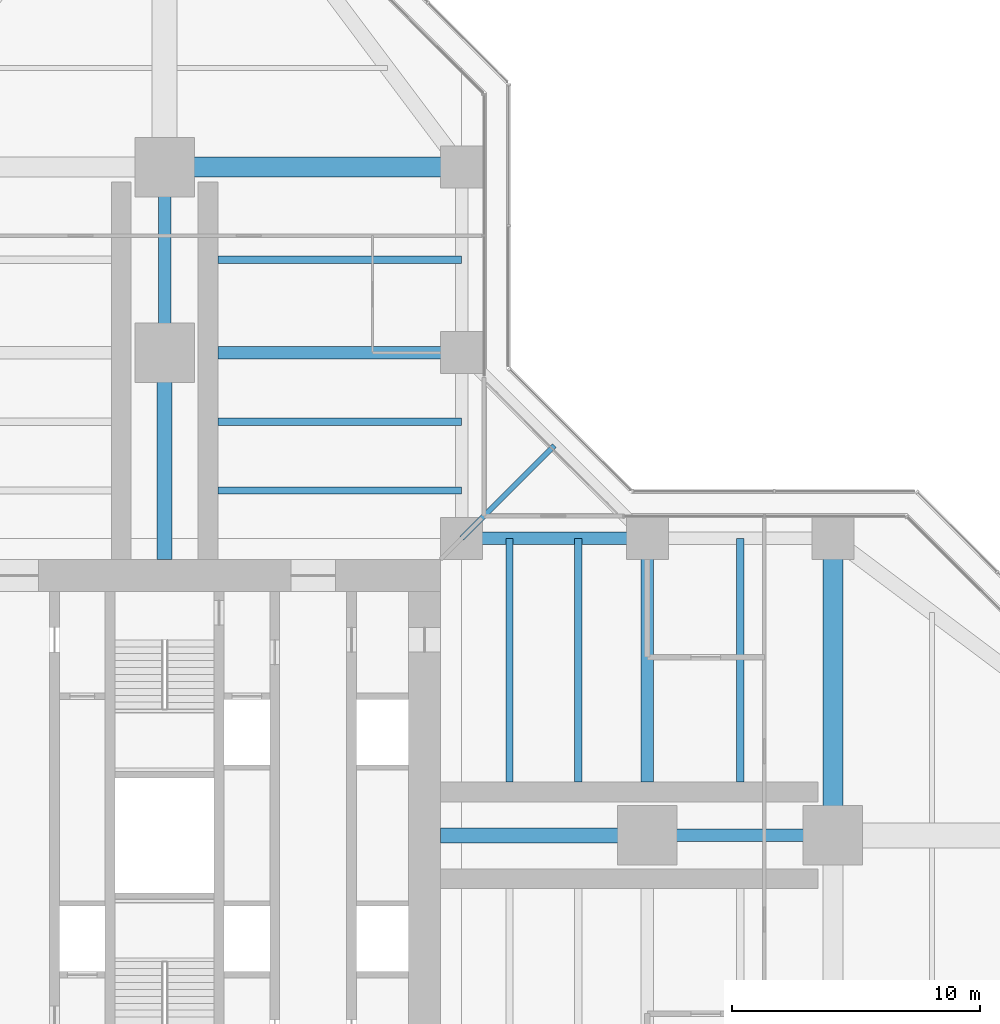
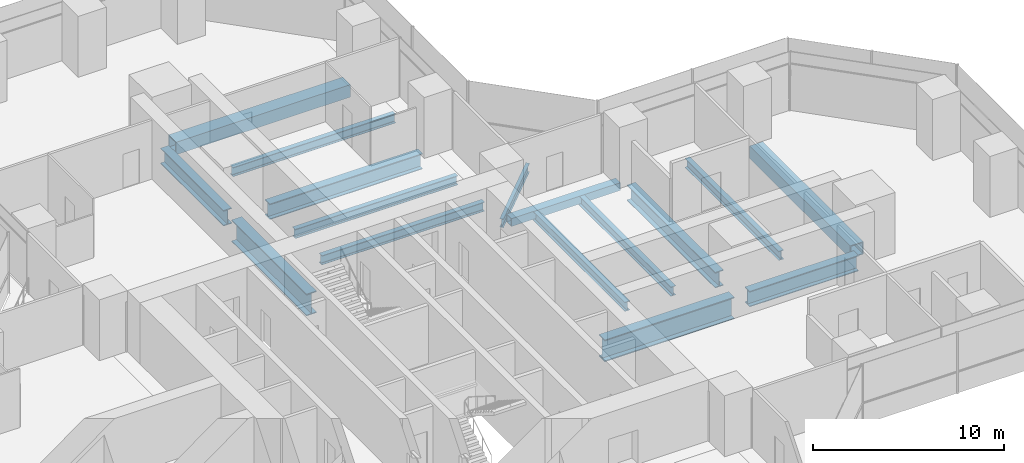
# One storey, part 10 of 22: 16 beams.
"""IFC4 building model written with IfcOpenShell, lengths in metres."""

from ifc_helpers import new_model, si_unit, direction, frame, origin, origin_2d, place, context, subcontext, project, spatial, hollow_rectangle, i_section, extrude, material, material_profile, profile_set, type_object, element, save


model = new_model("IFC4")

# Units and contexts
model_context = context("Model", 3, precision=1e-05, world=origin(), true_north=direction((0.0, 1.0)))
body_context = subcontext(model_context, "Body", "Model", "MODEL_VIEW")
ifc_project = project(units=[si_unit("LENGTHUNIT", "METRE"), si_unit("AREAUNIT", "SQUARE_METRE"), si_unit("VOLUMEUNIT", "CUBIC_METRE"), si_unit("PLANEANGLEUNIT", "RADIAN"), si_unit("MASSUNIT", "GRAM", prefix="KILO")], contexts=[model_context])

# Site, building, storey
site_placement = place(None, origin())
site = spatial("IfcSite", under=ifc_project, at=site_placement, CompositionType="ELEMENT")
building_placement = place(site_placement, origin())
building = spatial("IfcBuilding", under=site, at=building_placement, Name="Mizan Broadcast Tower", CompositionType="ELEMENT")
storey_placement = place(building_placement, frame((0.0, 0.0, 82.5)))
storey = spatial("IfcBuildingStorey", under=building, at=storey_placement, Name="L17", CompositionType="ELEMENT", Elevation=82.5)

# Beams
ifc_material_1 = material(Name="Steel S355", Category="steel")
ifc_material_profile_1 = material_profile(ifc_material_1, hollow_rectangle(XDim=0.5, YDim=0.5, WallThickness=0.030029296875, at=origin_2d()), Name="BOX 500x500x30")
ifc_profile_set_1 = profile_set([ifc_material_profile_1], Name="Steel S355")
beam_type_1 = type_object("IfcBeamType", Name="EDGE BEAM BOX 500x500x30", PredefinedType="SPANDREL", material=ifc_profile_set_1)
beam_1_placement = place(storey_placement, frame((12.449951171875, 12.0, -0.3798828125), z_axis=(1.0, 0.0, 0.0), x_axis=(0.0, 1.0, 0.0)))
element("IfcBeam", 1, at=beam_1_placement, inside=storey, type_object=beam_type_1, Name="Edge beam BOX 500x500x30 L17 east arm", PredefinedType="SPANDREL", context=body_context, shape_type="SweptSolid", body=[
    extrude(hollow_rectangle(XDim=0.5, YDim=0.5, WallThickness=0.030029296875, at=origin_2d()), origin(), (0.0, 0.0, 1.0), 6.60009765625),
])
ifc_material_2 = material(Name="Steel S460", Category="steel")
ifc_material_profile_2 = material_profile(ifc_material_2, hollow_rectangle(XDim=0.800048828125, YDim=0.800048828125, WallThickness=0.050048828125, at=origin_2d()), Name="BOX 800x800x50")
ifc_profile_set_2 = profile_set([ifc_material_profile_2], Name="Steel S460")
beam_type_2 = type_object("IfcBeamType", Name="GIRDER BOX 800x800x50", PredefinedType="BEAM", material=ifc_profile_set_2)
for number, where, z_axis, x_axis, name in (
    (2, (27.0, 11.280029296875, -0.530029296875), (0.0, -1.0, 0.0), (1.0, 0.0, 0.0), "Girder BOX 800x800x50 L17 east arm"),
    (3, (11.280029296875, 27.0, -0.530029296875), (-1.0, 0.0, 0.0), (0.0, -1.0, 0.0), "Girder BOX 800x800x50 L17 north arm"),
):
    element("IfcBeam", number, at=place(storey_placement, frame(where, z_axis=z_axis, x_axis=x_axis)), inside=storey, type_object=beam_type_2, Name=name, PredefinedType="BEAM", context=body_context, shape_type="SweptSolid", body=[
        extrude(hollow_rectangle(XDim=0.800048828125, YDim=0.800048828125, WallThickness=0.050048828125, at=origin_2d()), origin(), (0.0, 0.0, 1.0), 10.56005859375),
    ])
ifc_material_3 = material(Name="Steel S460", Category="steel")
ifc_material_profile_3 = material_profile(ifc_material_3, i_section(OverallWidth=0.5, OverallDepth=1.0, WebThickness=0.02490234375, FlangeThickness=0.050048828125, at=origin_2d()), Name="WPG 1000x500")
ifc_profile_set_3 = profile_set([ifc_material_profile_3], Name="Steel S460")
beam_type_3 = type_object("IfcBeamType", Name="GIRDER WPG 1000x500", PredefinedType="BEAM", material=ifc_profile_set_3)
beam_2_placement = place(storey_placement, frame((19.949951171875, 0.0, -0.6298828125), z_axis=(1.0, 0.0, 0.0), x_axis=(0.0, 1.0, 0.0)))
element("IfcBeam", 4, at=beam_2_placement, inside=storey, type_object=beam_type_3, Name="Girder WPG 1000x500 L17 east arm", PredefinedType="BEAM", context=body_context, shape_type="SweptSolid", body=[
    extrude(i_section(OverallWidth=0.5, OverallDepth=1.0, WebThickness=0.02490234375, FlangeThickness=0.050048828125, at=origin_2d()), origin(), (0.0, 0.0, 1.0), 6.60009765625),
])
beam_3_placement = place(storey_placement, frame((19.5, 11.408935546875, -0.6298828125), z_axis=(0.0, -1.0, 0.0), x_axis=(1.0, 0.0, 0.0)))
element("IfcBeam", 5, at=beam_3_placement, inside=storey, type_object=beam_type_3, Name="Girder WPG 1000x500 L17 east arm", PredefinedType="BEAM", context=body_context, shape_type="SweptSolid", body=[
    extrude(i_section(OverallWidth=0.5, OverallDepth=1.0, WebThickness=0.02490234375, FlangeThickness=0.050048828125, at=origin_2d()), origin(), (0.0, 0.0, 1.0), 9.259033203125),
])
beam_4_placement = place(storey_placement, frame((0.0, 19.949951171875, -0.6298828125), z_axis=(0.0, 1.0, 0.0), x_axis=(-1.0, 0.0, 0.0)))
element("IfcBeam", 6, at=beam_4_placement, inside=storey, type_object=beam_type_3, Name="Girder WPG 1000x500 L17 north arm", PredefinedType="BEAM", context=body_context, shape_type="SweptSolid", body=[
    extrude(i_section(OverallWidth=0.5, OverallDepth=1.0, WebThickness=0.02490234375, FlangeThickness=0.050048828125, at=origin_2d()), origin(), (0.0, 0.0, 1.0), 6.60009765625),
])
beam_5_placement = place(storey_placement, frame((11.408935546875, 19.5, -0.6298828125), z_axis=(-1.0, 0.0, 0.0), x_axis=(0.0, -1.0, 0.0)))
element("IfcBeam", 7, at=beam_5_placement, inside=storey, type_object=beam_type_3, Name="Girder WPG 1000x500 L17 north arm", PredefinedType="BEAM", context=body_context, shape_type="SweptSolid", body=[
    extrude(i_section(OverallWidth=0.5, OverallDepth=1.0, WebThickness=0.02490234375, FlangeThickness=0.050048828125, at=origin_2d()), origin(), (0.0, 0.0, 1.0), 9.259033203125),
])
ifc_material_4 = material(Name="Steel S460", Category="steel")
ifc_material_profile_4 = material_profile(ifc_material_4, i_section(OverallWidth=0.60009765625, OverallDepth=1.39990234375, WebThickness=0.02490234375, FlangeThickness=0.06005859375, at=origin_2d()), Name="WPG 1400x600")
ifc_profile_set_4 = profile_set([ifc_material_profile_4], Name="Steel S460")
beam_type_4 = type_object("IfcBeamType", Name="GIRDER WPG 1400x600", PredefinedType="BEAM", material=ifc_profile_set_4)
for number, where, z_axis, x_axis, name in (
    (8, (11.14990234375, 0.0, -0.830078125), (1.0, 0.0, 0.0), (0.0, 1.0, 0.0), "Girder WPG 1400x600 L17 east arm"),
    (9, (0.0, 11.14990234375, -0.830078125), (0.0, 1.0, 0.0), (-1.0, 0.0, 0.0), "Girder WPG 1400x600 L17 north arm"),
):
    element("IfcBeam", number, at=place(storey_placement, frame(where, z_axis=z_axis, x_axis=x_axis)), inside=storey, type_object=beam_type_4, Name=name, PredefinedType="BEAM", context=body_context, shape_type="SweptSolid", body=[
        extrude(i_section(OverallWidth=0.60009765625, OverallDepth=1.39990234375, WebThickness=0.02490234375, FlangeThickness=0.06005859375, at=origin_2d()), origin(), (0.0, 0.0, 1.0), 7.84912109375),
    ])
ifc_material_5 = material(Name="Steel S355", Category="steel")
ifc_material_profile_5 = material_profile(ifc_material_5, i_section(OverallWidth=0.300048828125, OverallDepth=0.590087890625, WebThickness=0.012939453125, FlangeThickness=0.02490234375, FilletRadius=0.027099609375, at=origin_2d()), Name="HEA 600")
ifc_profile_set_5 = profile_set([ifc_material_profile_5], Name="Steel S355")
beam_type_5 = type_object("IfcBeamType", Name="SECONDARY BEAM HEA 600", PredefinedType="JOIST", material=ifc_profile_set_5)
for number, where, z_axis, x_axis, name in (
    (10, (13.933349609375, 12.0, -0.425048828125), (0.0, -1.0, 0.0), (1.0, 0.0, 0.0), "Secondary beam HEA 600 L17 east arm"),
    (11, (16.716552734375, 12.0, -0.425048828125), (0.0, -1.0, 0.0), (1.0, 0.0, 0.0), "Secondary beam HEA 600 L17 east arm"),
    (12, (23.25, 12.0, -0.425048828125), (0.0, -1.0, 0.0), (1.0, 0.0, 0.0), "Secondary beam HEA 600 L17 east arm"),
    (13, (12.0, 13.933349609375, -0.425048828125), (-1.0, 0.0, 0.0), (0.0, -1.0, 0.0), "Secondary beam HEA 600 L17 north arm"),
    (14, (12.0, 16.716552734375, -0.425048828125), (-1.0, 0.0, 0.0), (0.0, -1.0, 0.0), "Secondary beam HEA 600 L17 north arm"),
    (15, (12.0, 23.25, -0.425048828125), (-1.0, 0.0, 0.0), (0.0, -1.0, 0.0), "Secondary beam HEA 600 L17 north arm"),
):
    element("IfcBeam", number, at=place(storey_placement, frame(where, z_axis=z_axis, x_axis=x_axis)), inside=storey, type_object=beam_type_5, Name=name, PredefinedType="JOIST", context=body_context, shape_type="SweptSolid", body=[
        extrude(i_section(OverallWidth=0.300048828125, OverallDepth=0.590087890625, WebThickness=0.012939453125, FlangeThickness=0.02490234375, FilletRadius=0.027099609375, at=origin_2d()), origin(), (0.0, 0.0, 1.0), 9.85009765625),
    ])
ifc_material_6 = material(Name="Steel S355", Category="steel")
ifc_material_profile_6 = material_profile(ifc_material_6, i_section(OverallWidth=0.2099609375, OverallDepth=0.550048828125, WebThickness=0.010986328125, FlangeThickness=0.01708984375, FilletRadius=0.02392578125, at=origin_2d()), Name="IPE 550")
ifc_profile_set_6 = profile_set([ifc_material_profile_6], Name="Steel S355")
beam_type_6 = type_object("IfcBeamType", Name="SECONDARY BEAM IPE 550", PredefinedType="JOIST", material=ifc_profile_set_6)
beam_6_placement = place(storey_placement, frame((12.0, 12.0, -0.405029296875), z_axis=(0.707106781187, 0.707106781187, 0.0), x_axis=(-0.707106781187, 0.707106781187, 0.0)))
element("IfcBeam", 16, at=beam_6_placement, inside=storey, type_object=beam_type_6, Name="Winter garden beam L17 E", PredefinedType="JOIST", context=body_context, shape_type="SweptSolid", body=[
    extrude(i_section(OverallWidth=0.2099609375, OverallDepth=0.550048828125, WebThickness=0.010986328125, FlangeThickness=0.01708984375, FilletRadius=0.02392578125, at=origin_2d()), origin(), (0.0, 0.0, 1.0), 5.30322265625),
])

save(model, "model.ifc")
